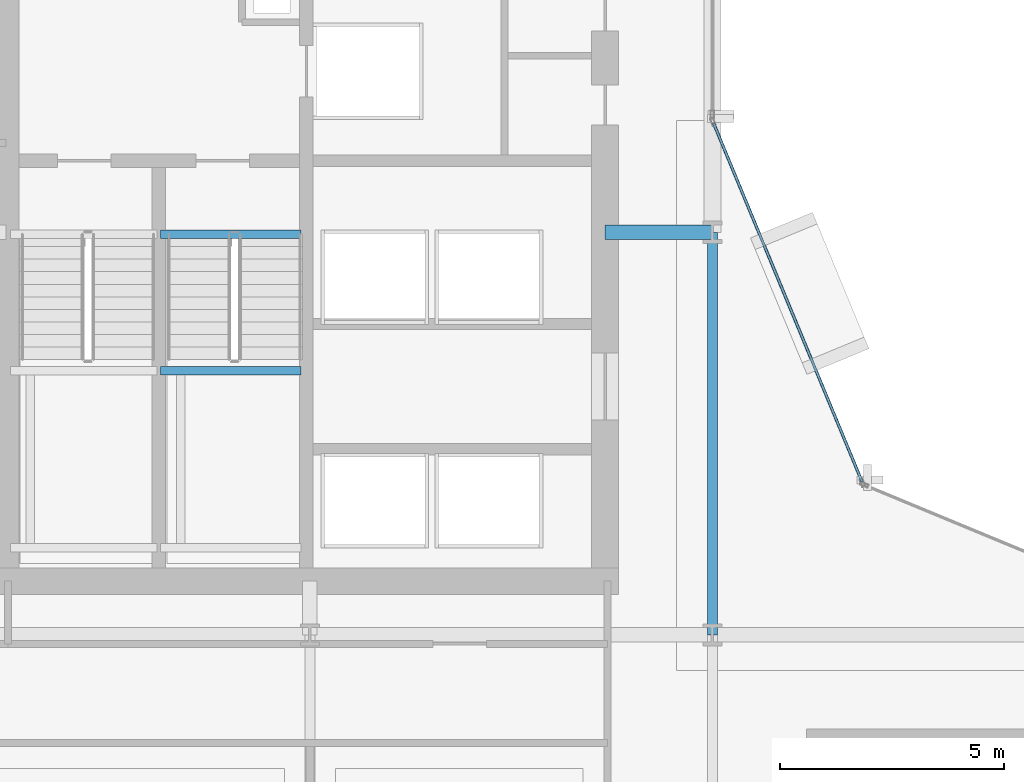
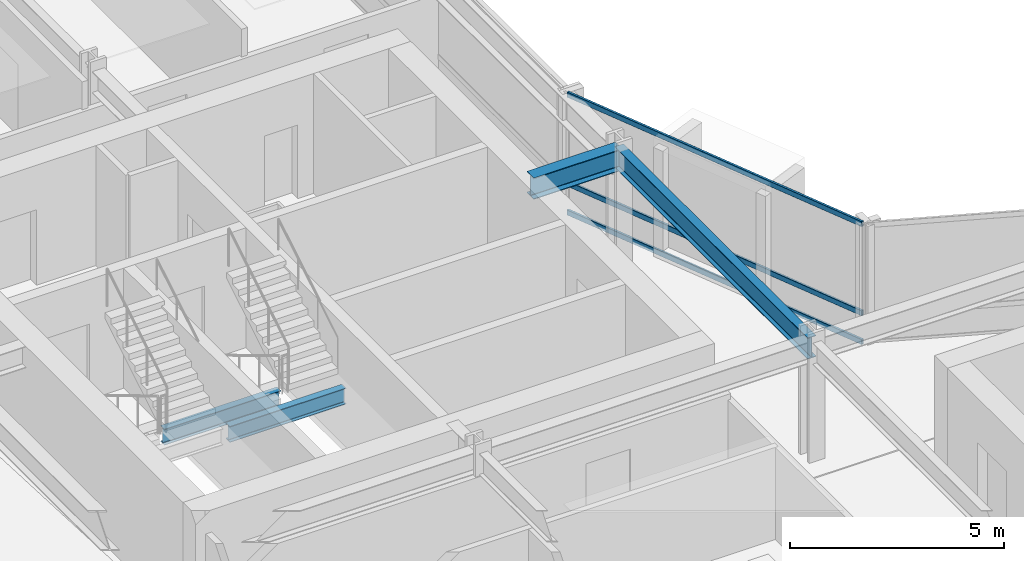
# One storey, part 20 of 34: 4 beams, 3 members, 1 element without a shape of its own.
"""IFC4 building model written with IfcOpenShell, lengths in metres."""

from ifc_helpers import new_model, si_unit, direction, frame, origin, origin_2d, place, context, subcontext, project, spatial, hollow_rectangle, i_section, extrude, material, layer, layer_set, material_profile, profile_set, type_object, element, aggregate, save


model = new_model("IFC4")

# Units and contexts
model_context = context("Model", 3, precision=1e-05, world=origin(), true_north=direction((0.0, 1.0)))
body_context = subcontext(model_context, "Body", "Model", "MODEL_VIEW")
ifc_project = project(units=[si_unit("LENGTHUNIT", "METRE"), si_unit("AREAUNIT", "SQUARE_METRE"), si_unit("VOLUMEUNIT", "CUBIC_METRE"), si_unit("PLANEANGLEUNIT", "RADIAN"), si_unit("MASSUNIT", "GRAM", prefix="KILO")], contexts=[model_context])

# Site, building, storey
site_placement = place(None, origin())
site = spatial("IfcSite", under=ifc_project, at=site_placement, CompositionType="ELEMENT")
building_placement = place(site_placement, origin())
building = spatial("IfcBuilding", under=site, at=building_placement, Name="Solvaryn Broadcast Tower", CompositionType="ELEMENT")
storey_placement = place(building_placement, frame((0.0, 0.0, 61.89990234375)))
storey = spatial("IfcBuildingStorey", under=building, at=storey_placement, Name="L14", CompositionType="ELEMENT", Elevation=61.89990234375)

# Beams
ifc_material_1 = material(Name="Steel ASTM A992 Grade 50", Category="steel")
ifc_material_profile_1 = material_profile(ifc_material_1, i_section(OverallWidth=0.323974609375, OverallDepth=0.611083984375, WebThickness=0.0126953125, FlangeThickness=0.01904296875, FilletRadius=0.014892578125, at=origin_2d()))
ifc_profile_set_1 = profile_set([ifc_material_profile_1], Name="Steel ASTM A992 Grade 50")
beam_type_1 = type_object("IfcBeamType", Name="BM-B1-W24X104", PredefinedType="BEAM", material=ifc_profile_set_1)
beam_1_placement = place(storey_placement, frame((24.60009765625, 36.0, 3.114501953125), z_axis=(1.0, 0.0, 0.0), x_axis=(0.0, 1.0, 0.0)))
element("IfcBeam", 1, at=beam_1_placement, inside=storey, type_object=beam_type_1, Name="L14 Core Tie Beam CTW2", PredefinedType="BEAM", context=body_context, shape_type="SweptSolid", body=[
    extrude(i_section(OverallWidth=0.323974609375, OverallDepth=0.611083984375, WebThickness=0.0126953125, FlangeThickness=0.01904296875, FilletRadius=0.014892578125, at=origin_2d()), origin(), (0.0, 0.0, 1.0), 2.39990234375),
])
ifc_material_2 = material(Name="Steel ASTM A992 Grade 50", Category="steel")
ifc_material_profile_2 = material_profile(ifc_material_2, i_section(OverallWidth=0.22802734375, OverallDepth=0.60791015625, WebThickness=0.01123046875, FlangeThickness=0.017333984375, FilletRadius=0.014892578125, at=origin_2d()))
ifc_profile_set_2 = profile_set([ifc_material_profile_2], Name="Steel ASTM A992 Grade 50")
beam_type_2 = type_object("IfcBeamType", Name="BM-B2-W24X76", PredefinedType="BEAM", material=ifc_profile_set_2)
beam_2_placement = place(storey_placement, frame((27.0, 27.0, 3.1162109375), z_axis=(0.0, 1.0, 0.0), x_axis=(-1.0, 0.0, 0.0)))
element("IfcBeam", 2, at=beam_2_placement, inside=storey, type_object=beam_type_2, Name="L14 Primary Beam Y (27-36 @ X=27)", PredefinedType="BEAM", context=body_context, shape_type="SweptSolid", body=[
    extrude(i_section(OverallWidth=0.22802734375, OverallDepth=0.60791015625, WebThickness=0.01123046875, FlangeThickness=0.017333984375, FilletRadius=0.014892578125, at=origin_2d()), origin(), (0.0, 0.0, 1.0), 9.0),
])
ifc_material_3 = material(Name="Steel ASTM A992 Grade 50", Category="steel")
ifc_material_profile_3 = material_profile(ifc_material_3, i_section(OverallWidth=0.18994140625, OverallDepth=0.45703125, WebThickness=0.009033203125, FlangeThickness=0.014404296875, FilletRadius=0.011962890625, at=origin_2d()))
ifc_profile_set_3 = profile_set([ifc_material_profile_3], Name="Steel ASTM A992 Grade 50")
beam_type_3 = type_object("IfcBeamType", Name="BM-B4-W18X50", PredefinedType="BEAM", material=ifc_profile_set_3)
for number, where, z_axis, x_axis, name in (
    (3, (14.659912109375, 35.9599609375, -0.50830078125), (1.0, 0.0, 0.0), (0.0, 1.0, 0.0), "L14 ST2 Stair Well Trimmer Beam"),
    (4, (14.659912109375, 32.909912109375, 1.421630859375), (1.0, 0.0, 0.0), (0.0, 1.0, 0.0), "L14 ST2 Landing Support Beam 1B"),
):
    element("IfcBeam", number, at=place(storey_placement, frame(where, z_axis=z_axis, x_axis=x_axis)), inside=storey, type_object=beam_type_3, Name=name, PredefinedType="BEAM", context=body_context, shape_type="SweptSolid", body=[
        extrude(i_section(OverallWidth=0.18994140625, OverallDepth=0.45703125, WebThickness=0.009033203125, FlangeThickness=0.014404296875, FilletRadius=0.011962890625, at=origin_2d()), origin(), (0.0, 0.0, 1.0), 3.14013671875),
    ])

# Curtain wall, members
ifc_material_4 = material(Name="Aluminium and Terracotta Unitised Curtain Wall", Category="masonry")
ifc_layer = layer(ifc_material_4, 0.199951171875)
ifc_layer_set = layer_set([ifc_layer], Name="CW-SYS2-LOWMID")
curtain_wall_type = type_object("IfcCurtainWallType", Name="CW-SYS2-LOWMID", PredefinedType="NOTDEFINED", material=ifc_layer_set)
curtain_wall_placement = place(storey_placement, origin())
curtain_wall = element("IfcCurtainWall", 5, at=curtain_wall_placement, inside=storey, type_object=curtain_wall_type, Name="L14 Curtain Wall CN2", PredefinedType="NOTDEFINED")
ifc_material_5 = material(Name="Anodised Aluminium 6063-T6", Category="aluminium")
ifc_material_profile_4 = material_profile(ifc_material_5, hollow_rectangle(XDim=0.06494140625, YDim=0.14990234375, WallThickness=0.00390625, InnerFilletRadius=0.00390625, OuterFilletRadius=0.008056640625, at=origin_2d()))
ifc_profile_set_4 = profile_set([ifc_material_profile_4], Name="Anodised Aluminium 6063-T6")
member_type = type_object("IfcMemberType", Name="CW-TRN-150", PredefinedType="USERDEFINED", material=ifc_profile_set_4)
member_1_placement = place(storey_placement, frame((30.344970703125, 30.42333984375, 0.030029296875), z_axis=(-0.382635748975, 0.923899282177, 0.0), x_axis=(-0.923899282177, -0.382635748975, 0.0)))
member_1 = element("IfcMember", 6, at=member_1_placement, type_object=member_type, Name="CWS2 transom 1.1", ObjectType="TRANSOM", PredefinedType="USERDEFINED", context=body_context, shape_type="SweptSolid", body=[
    extrude(hollow_rectangle(XDim=0.06494140625, YDim=0.14990234375, WallThickness=0.00390625, InnerFilletRadius=0.00390625, OuterFilletRadius=0.008056640625, at=origin_2d()), origin(), (0.0, 0.0, 1.0), 8.681884765625),
])
member_2_placement = place(storey_placement, frame((30.344970703125, 30.42333984375, 0.85009765625), z_axis=(-0.382635748975, 0.923899282177, 0.0), x_axis=(-0.923899282177, -0.382635748975, 0.0)))
member_2 = element("IfcMember", 7, at=member_2_placement, type_object=member_type, Name="CWS2 transom 1.2", ObjectType="TRANSOM", PredefinedType="USERDEFINED", context=body_context, shape_type="SweptSolid", body=[
    extrude(hollow_rectangle(XDim=0.06494140625, YDim=0.14990234375, WallThickness=0.00390625, InnerFilletRadius=0.00390625, OuterFilletRadius=0.008056640625, at=origin_2d()), origin(), (0.0, 0.0, 1.0), 8.681884765625),
])
member_3_placement = place(storey_placement, frame((30.344970703125, 30.42333984375, 3.39013671875), z_axis=(-0.382635748975, 0.923899282177, 0.0), x_axis=(-0.923899282177, -0.382635748975, 0.0)))
member_3 = element("IfcMember", 8, at=member_3_placement, type_object=member_type, Name="CWS2 transom 1.3", ObjectType="TRANSOM", PredefinedType="USERDEFINED", context=body_context, shape_type="SweptSolid", body=[
    extrude(hollow_rectangle(XDim=0.06494140625, YDim=0.14990234375, WallThickness=0.00390625, InnerFilletRadius=0.00390625, OuterFilletRadius=0.008056640625, at=origin_2d()), origin(), (0.0, 0.0, 1.0), 8.681884765625),
])
aggregate(curtain_wall, [member_1, member_2, member_3])

save(model, "model.ifc")
